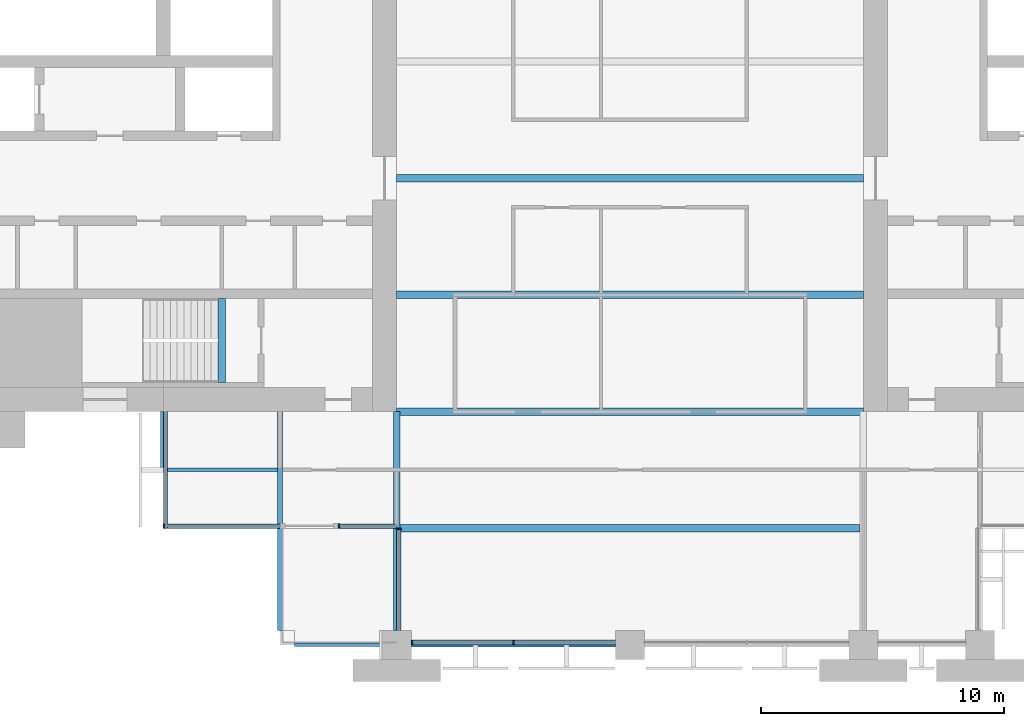
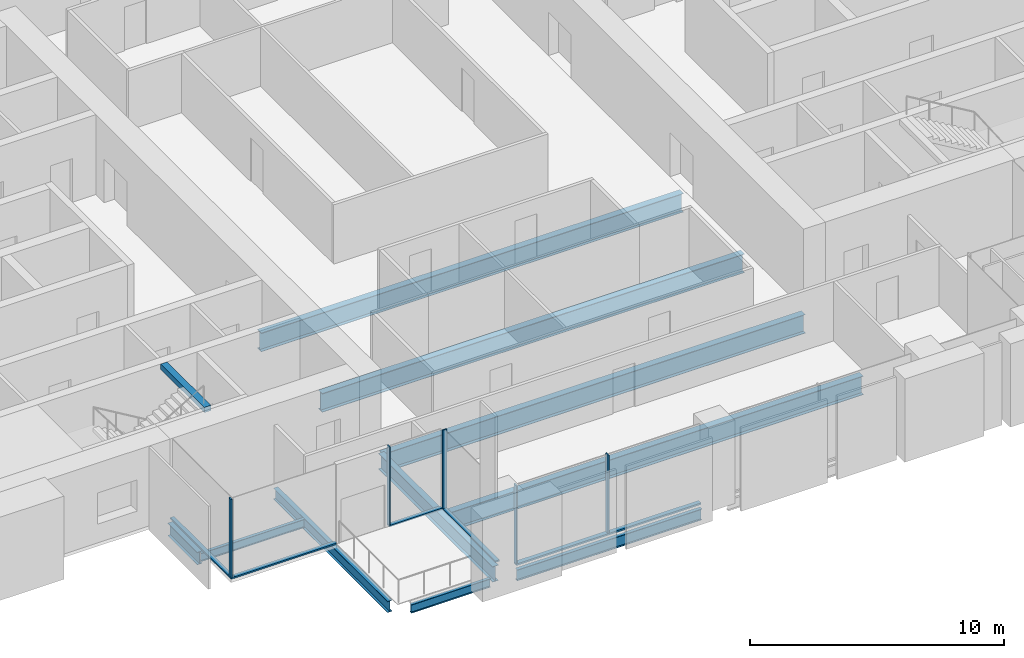
# One storey, part 2 of 14: 11 beams, 10 members, 5 elements without a shape of their own.
"""IFC4 building model written with IfcOpenShell, lengths in metres."""

import ifcopenshell
import ifcopenshell.guid

model = None  # the IFC model being written
_history = None  # IfcOwnerHistory: only IFC2X3 demands one
_inside = {}  # id of a spatial element -> (the spatial element, [elements in it])
_under = {}  # id of a project, library or spatial element -> (it, [spatial elements below it])
_declared = {}  # id of a project -> (the project, [libraries it declares])
_typed = {}  # id of a type object -> (the type object, [elements of that type])
_made_of = {}  # id of a material, layer set ... -> (it, [elements and type objects made of it])


def new_model(schema):
    """Start an empty IFC model of exactly this schema.

    Asked for "IFC4X3", IfcOpenShell would pick the latest addendum, in which some entities
    have other attributes; the version numbers below select the first issue.
    IFC2X3 requires an IfcOwnerHistory on every rooted entity: one is made here for all.
    """
    global model, _history
    if schema == "IFC4X3":
        model = ifcopenshell.file(schema_version=(4, 3, 0, 0))
    else:
        model = ifcopenshell.file(schema=schema)
    _inside.clear()
    _under.clear()
    _declared.clear()
    _typed.clear()
    _made_of.clear()
    _history = None
    if model.schema == "IFC2X3":
        org = make("IfcOrganization", Name="unknown")
        user = make(
            "IfcPersonAndOrganization",
            ThePerson=make("IfcPerson", FamilyName="unknown"),
            TheOrganization=org,
        )
        app = make(
            "IfcApplication",
            ApplicationDeveloper=org,
            Version="unknown",
            ApplicationFullName="unknown",
            ApplicationIdentifier="unknown",
        )
        _history = make(
            "IfcOwnerHistory",
            OwningUser=user,
            OwningApplication=app,
            ChangeAction="ADDED",
            CreationDate=0,
        )
    return model


def make(cls, **values):
    """One entity of the class cls with the attributes given. An attribute that is None is left unset."""
    return model.create_entity(
        cls, **{name: value for name, value in values.items() if value is not None}
    )


def rooted(cls, **values):
    """An entity with a GlobalId (a new one), such as an element, a storey or a relation."""
    return make(cls, GlobalId=ifcopenshell.guid.new(), OwnerHistory=_history, **values)


def si_unit(unit_type, name, prefix=None):
    """IfcSIUnit, for example si_unit("LENGTHUNIT", "METRE", prefix="MILLI")."""
    return make("IfcSIUnit", UnitType=unit_type, Prefix=prefix, Name=name)


def assignment(units):
    """IfcUnitAssignment: the units of a project."""
    return None if units is None else make("IfcUnitAssignment", Units=units)


def point(xyz):
    """IfcCartesianPoint."""
    return None if xyz is None else make("IfcCartesianPoint", Coordinates=xyz)


def direction(xyz):
    """IfcDirection."""
    return None if xyz is None else make("IfcDirection", DirectionRatios=xyz)


def frame(location, z_axis=None, x_axis=None):
    """IfcAxis2Placement3D, a coordinate frame: its origin and axes. An axis left out is left unset."""
    return make(
        "IfcAxis2Placement3D",
        Location=point(location),
        Axis=direction(z_axis),
        RefDirection=direction(x_axis),
    )


def frame_2d(location, x_axis=None):
    """IfcAxis2Placement2D, a coordinate frame in the plane: its origin and x axis."""
    return make(
        "IfcAxis2Placement2D", Location=point(location), RefDirection=direction(x_axis)
    )


def origin():
    """The frame at (0, 0, 0) with its axes left unset."""
    return frame((0.0, 0.0, 0.0))


def origin_2d():
    """The frame at (0, 0) in the plane with its x axis left unset."""
    return frame_2d((0.0, 0.0))


def place(relative_to, where):
    """IfcLocalPlacement: puts the frame where relative to a parent placement (None: the world)."""
    return make(
        "IfcLocalPlacement", PlacementRelTo=relative_to, RelativePlacement=where
    )


def context(
    kind, dimensions, precision=None, world=None, true_north=None, identifier=None
):
    """IfcGeometricRepresentationContext, for example the 3D "Model" context."""
    return make(
        "IfcGeometricRepresentationContext",
        ContextIdentifier=identifier,
        ContextType=kind,
        CoordinateSpaceDimension=dimensions,
        Precision=precision,
        WorldCoordinateSystem=world,
        TrueNorth=true_north,
    )


def subcontext(parent, identifier, kind, view, scale=None):
    """IfcGeometricRepresentationSubContext, for example "Body" below "Model"."""
    return make(
        "IfcGeometricRepresentationSubContext",
        ContextIdentifier=identifier,
        ContextType=kind,
        ParentContext=parent,
        TargetScale=scale,
        TargetView=view,
    )


def project(units=None, contexts=None):
    """IfcProject with its units and contexts."""
    return rooted(
        "IfcProject",
        Name="project",
        RepresentationContexts=contexts,
        UnitsInContext=assignment(units),
    )


def spatial(cls, under=None, at=None, **own):
    """A site, building, storey or space (cls), placed at a placement, below another one or the project."""
    s = rooted(cls, ObjectPlacement=at, **own)
    if under is not None:
        _under.setdefault(under.id(), (under, []))[1].append(s)
    return s


def profile(cls, at=None, kind="AREA", **sizes):
    """A parametric profile (cls). Its sizes go by their IFC names, for example OverallWidth=200.0."""
    return make(cls, ProfileType=kind, Position=at, **sizes)


def rectangle(**sizes):
    """IfcRectangleProfileDef."""
    return profile("IfcRectangleProfileDef", **sizes)


def i_section(**sizes):
    """IfcIShapeProfileDef."""
    return profile("IfcIShapeProfileDef", **sizes)


def extrude(swept, where, along, depth):
    """IfcExtrudedAreaSolid: the profile swept, set in the frame where, extruded along a direction by depth."""
    return make(
        "IfcExtrudedAreaSolid",
        SweptArea=swept,
        Position=where,
        ExtrudedDirection=direction(along),
        Depth=depth,
    )


def shape(context_of_items, identifier, shape_type, items):
    """IfcShapeRepresentation: the items that make up one representation, for example the "Body"."""
    return make(
        "IfcShapeRepresentation",
        ContextOfItems=context_of_items,
        RepresentationIdentifier=identifier,
        RepresentationType=shape_type,
        Items=items,
    )


def material(Name=None, Category=None):
    """IfcMaterial."""
    return make("IfcMaterial", Name=Name, Category=Category)


def material_profile(
    of_material, cross_section, Name=None, Category=None, Priority=None
):
    """IfcMaterialProfile: a cross section and its material."""
    return make(
        "IfcMaterialProfile",
        Name=Name,
        Material=of_material,
        Profile=cross_section,
        Priority=Priority,
        Category=Category,
    )


def profile_set(profiles, Name=None, composite=None):
    """IfcMaterialProfileSet."""
    return make(
        "IfcMaterialProfileSet",
        Name=Name,
        MaterialProfiles=profiles,
        CompositeProfile=composite,
    )


def made_of(thing, what):
    """Note that an element or type object is made of a material, layer set ...; save() writes the relation."""
    if what is not None:
        _made_of.setdefault(what.id(), (what, []))[1].append(thing)
    return thing


def type_object(cls, material=None, **own):
    """A type object (cls), such as IfcWallType, which elements share."""
    return made_of(rooted(cls, **own), material)


def element(
    cls,
    number,
    at=None,
    inside=None,
    cuts=None,
    type_object=None,
    material=None,
    context=None,
    identifier="Body",
    shape_type=None,
    held_by="IfcProductDefinitionShape",
    body=None,
    shapes=None,
    **own,
):
    """One element of the class cls, such as IfcWall. Its Tag is "e" and its number.

    at: its placement. inside: the storey or other place that contains it. cuts: it is an
    opening in that element (IfcRelVoidsElement). A single representation is given by context,
    identifier, shape_type and body (its items); several are given by shapes. held_by: the class
    of the entity that holds the representations. save() writes the other relations.
    """
    e = rooted(cls, Tag="e%d" % number, ObjectPlacement=at, **own)
    if body is not None:
        shapes = [shape(context, identifier, shape_type, body)]
    if shapes is not None:
        e.Representation = make(held_by, Representations=shapes)
    if inside is not None:
        _inside.setdefault(inside.id(), (inside, []))[1].append(e)
    if cuts is not None:
        rooted(
            "IfcRelVoidsElement", RelatingBuildingElement=cuts, RelatedOpeningElement=e
        )
    if type_object is not None:
        _typed.setdefault(type_object.id(), (type_object, []))[1].append(e)
    return made_of(e, material)


def aggregate(whole, parts):
    """IfcRelAggregates: a whole, such as a stair, and the parts it consists of."""
    return rooted("IfcRelAggregates", RelatingObject=whole, RelatedObjects=parts)


def save(model, path):
    """Write the relations noted so far, then the file.

    IfcRelAggregates (storeys below a building ...), IfcRelContainedInSpatialStructure (elements
    in a storey), IfcRelDefinesByType, IfcRelAssociatesMaterial and IfcRelDeclares: one each for
    every whole, place, type object, material and project.
    """
    for whole, parts in _under.values():
        aggregate(whole, parts)
    for where, things in _inside.values():
        rooted(
            "IfcRelContainedInSpatialStructure",
            RelatedElements=things,
            RelatingStructure=where,
        )
    for kind, things in _typed.values():
        rooted("IfcRelDefinesByType", RelatedObjects=things, RelatingType=kind)
    for what, things in _made_of.values():
        rooted("IfcRelAssociatesMaterial", RelatedObjects=things, RelatingMaterial=what)
    for by, libraries in _declared.values():
        rooted("IfcRelDeclares", RelatingContext=by, RelatedDefinitions=libraries)
    model.write(path)


model = new_model("IFC4")

# Units and contexts
model_context = context("Model", 3, precision=1e-05, world=origin(), true_north=direction((0.0, 1.0)))
body_context = subcontext(model_context, "Body", "Model", "MODEL_VIEW")
ifc_project = project(units=[si_unit("LENGTHUNIT", "METRE"), si_unit("AREAUNIT", "SQUARE_METRE"), si_unit("VOLUMEUNIT", "CUBIC_METRE"), si_unit("PLANEANGLEUNIT", "RADIAN"), si_unit("MASSUNIT", "GRAM", prefix="KILO")], contexts=[model_context])

# Site, building, storey
site_placement = place(None, origin())
site = spatial("IfcSite", under=ifc_project, at=site_placement, CompositionType="ELEMENT")
building_placement = place(site_placement, origin())
building = spatial("IfcBuilding", under=site, at=building_placement, Name="Baori Bourse Tower", CompositionType="ELEMENT")
storey_placement = place(building_placement, frame((0.0, 0.0, 148.10009765625)))
storey = spatial("IfcBuildingStorey", under=building, at=storey_placement, Name="L32", CompositionType="ELEMENT", Elevation=148.10009765625)

# Curtain wall, members
ifc_material_1 = material(Name="Pale anodised aluminium", Category="aluminium")
curtain_wall_type_1 = type_object("IfcCurtainWallType", Name="CW1 Curtain wall", PredefinedType="NOTDEFINED", material=ifc_material_1)
curtain_wall_1_placement = place(storey_placement, origin())
curtain_wall_1 = element("IfcCurtainWall", 1, at=curtain_wall_1_placement, inside=storey, type_object=curtain_wall_type_1, Name="Curtain wall CW1 L32 12", PredefinedType="NOTDEFINED")
ifc_material_2 = material(Name="Pale anodised aluminium", Category="aluminium")
ifc_material_profile_1 = material_profile(ifc_material_2, rectangle(XDim=0.199951171875, YDim=0.06005859375, at=origin_2d()), Name="Mullion 60x200")
ifc_profile_set_1 = profile_set([ifc_material_profile_1], Name="Pale anodised aluminium")
member_type_1 = type_object("IfcMemberType", Name="CW1 Curtain wall mullion", PredefinedType="MULLION", material=ifc_profile_set_1)
member_1_placement = place(storey_placement, frame((19.830078125, 0.10009765625, 0.079833984375), z_axis=(0.0, 0.0, 1.0), x_axis=(0.0, 1.0, 0.0)))
member_1 = element("IfcMember", 2, at=member_1_placement, type_object=member_type_1, Name="Curtain wall CW1 mullion", PredefinedType="MULLION", context=body_context, shape_type="SweptSolid", body=[
    extrude(rectangle(XDim=0.199951171875, YDim=0.06005859375, at=origin_2d()), origin(), (0.0, 0.0, 1.0), 3.760009765625),
])
member_2_placement = place(storey_placement, frame((24.0, 0.10009765625, 0.079833984375), z_axis=(0.0, 0.0, 1.0), x_axis=(0.0, 1.0, 0.0)))
member_2 = element("IfcMember", 3, at=member_2_placement, type_object=member_type_1, Name="Curtain wall CW1 mullion", PredefinedType="MULLION", context=body_context, shape_type="SweptSolid", body=[
    extrude(rectangle(XDim=0.199951171875, YDim=0.06005859375, at=origin_2d()), origin(), (0.0, 0.0, 1.0), 3.760009765625),
])
ifc_material_3 = material(Name="Pale anodised aluminium", Category="aluminium")
ifc_material_profile_2 = material_profile(ifc_material_3, rectangle(XDim=0.199951171875, YDim=0.080078125, at=origin_2d()), Name="Transom 80x200")
ifc_profile_set_2 = profile_set([ifc_material_profile_2], Name="Pale anodised aluminium")
member_type_2 = type_object("IfcMemberType", Name="CW1 Curtain wall transom", PredefinedType="USERDEFINED", material=ifc_profile_set_2)
member_3_placement = place(storey_placement, frame((19.800048828125, 0.10009765625, 0.039794921875), z_axis=(1.0, 0.0, 0.0), x_axis=(0.0, 1.0, 0.0)))
member_3 = element("IfcMember", 4, at=member_3_placement, type_object=member_type_2, Name="Curtain wall CW1 sill rail", ObjectType="TRANSOM", PredefinedType="USERDEFINED", context=body_context, shape_type="SweptSolid", body=[
    extrude(rectangle(XDim=0.199951171875, YDim=0.080078125, at=origin_2d()), origin(), (0.0, 0.0, 1.0), 8.39990234375),
])
aggregate(curtain_wall_1, [member_3, member_1, member_2])

# Curtain wall, member
ifc_material_4 = material(Name="Pale anodised aluminium", Category="aluminium")
curtain_wall_type_2 = type_object("IfcCurtainWallType", Name="CW2 Curtain wall", PredefinedType="NOTDEFINED", material=ifc_material_4)
curtain_wall_2_placement = place(storey_placement, origin())
curtain_wall_2 = element("IfcCurtainWall", 5, at=curtain_wall_2_placement, inside=storey, type_object=curtain_wall_type_2, Name="Curtain wall CW2 L32 9", PredefinedType="NOTDEFINED")
ifc_material_5 = material(Name="Pale anodised aluminium", Category="aluminium")
ifc_material_profile_3 = material_profile(ifc_material_5, rectangle(XDim=0.179931640625, YDim=0.054931640625, at=origin_2d()), Name="Mullion 55x180")
ifc_profile_set_3 = profile_set([ifc_material_profile_3], Name="Pale anodised aluminium")
member_type_3 = type_object("IfcMemberType", Name="CW2 Curtain wall mullion", PredefinedType="MULLION", material=ifc_profile_set_3)
member_4_placement = place(storey_placement, frame((9.62744140625, 4.889892578125, 0.06982421875), z_axis=(0.0, 0.0, 1.0), x_axis=(0.0, 1.0, 0.0)))
member_4 = element("IfcMember", 6, at=member_4_placement, type_object=member_type_3, Name="Curtain wall CW2 mullion", PredefinedType="MULLION", context=body_context, shape_type="SweptSolid", body=[
    extrude(rectangle(XDim=0.179931640625, YDim=0.054931640625, at=origin_2d()), origin(), (0.0, 0.0, 1.0), 3.77001953125),
])

curtain_wall_3_placement = place(storey_placement, origin())
curtain_wall_3 = element("IfcCurtainWall", 7, at=curtain_wall_3_placement, inside=storey, type_object=curtain_wall_type_2, Name="Curtain wall CW2 L32 10", PredefinedType="NOTDEFINED")
member_5_placement = place(storey_placement, frame((16.827392578125, 4.889892578125, 0.06982421875), z_axis=(0.0, 0.0, 1.0), x_axis=(0.0, 1.0, 0.0)))
member_5 = element("IfcMember", 8, at=member_5_placement, type_object=member_type_3, Name="Curtain wall CW2 mullion", PredefinedType="MULLION", context=body_context, shape_type="SweptSolid", body=[
    extrude(rectangle(XDim=0.179931640625, YDim=0.054931640625, at=origin_2d()), origin(), (0.0, 0.0, 1.0), 3.77001953125),
])

curtain_wall_4_placement = place(storey_placement, origin())
curtain_wall_4 = element("IfcCurtainWall", 9, at=curtain_wall_4_placement, inside=storey, type_object=curtain_wall_type_2, Name="Curtain wall CW2 L32 11", PredefinedType="NOTDEFINED")
member_6_placement = place(storey_placement, frame((19.2900390625, 4.7724609375, 0.06982421875), z_axis=(0.0, 0.0, 1.0), x_axis=(1.0, 0.0, 0.0)))
member_6 = element("IfcMember", 10, at=member_6_placement, type_object=member_type_3, Name="Curtain wall CW2 mullion", PredefinedType="MULLION", context=body_context, shape_type="SweptSolid", body=[
    extrude(rectangle(XDim=0.179931640625, YDim=0.054931640625, at=origin_2d()), origin(), (0.0, 0.0, 1.0), 3.77001953125),
])

curtain_wall_5_placement = place(storey_placement, origin())
curtain_wall_5 = element("IfcCurtainWall", 11, at=curtain_wall_5_placement, inside=storey, type_object=curtain_wall_type_2, Name="Curtain wall CW2 L32 8", PredefinedType="NOTDEFINED")
ifc_material_6 = material(Name="Pale anodised aluminium", Category="aluminium")
ifc_material_profile_4 = material_profile(ifc_material_6, rectangle(XDim=0.179931640625, YDim=0.070068359375, at=origin_2d()), Name="Transom 70x180")
ifc_profile_set_4 = profile_set([ifc_material_profile_4], Name="Pale anodised aluminium")
member_type_4 = type_object("IfcMemberType", Name="CW2 Curtain wall transom", PredefinedType="USERDEFINED", material=ifc_profile_set_4)
member_7_placement = place(storey_placement, frame((9.68994140625, 9.60009765625, 0.034912109375), z_axis=(0.0, -1.0, 0.0), x_axis=(1.0, 0.0, 0.0)))
member_7 = element("IfcMember", 12, at=member_7_placement, type_object=member_type_4, Name="Curtain wall CW2 sill rail", ObjectType="TRANSOM", PredefinedType="USERDEFINED", context=body_context, shape_type="SweptSolid", body=[
    extrude(rectangle(XDim=0.179931640625, YDim=0.070068359375, at=origin_2d()), origin(), (0.0, 0.0, 1.0), 4.800048828125),
])
aggregate(curtain_wall_5, [member_7])

# Member
member_8_placement = place(storey_placement, frame((9.60009765625, 4.889892578125, 0.034912109375), z_axis=(1.0, 0.0, 0.0), x_axis=(0.0, 1.0, 0.0)))
member_8 = element("IfcMember", 13, at=member_8_placement, type_object=member_type_4, Name="Curtain wall CW2 sill rail", ObjectType="TRANSOM", PredefinedType="USERDEFINED", context=body_context, shape_type="SweptSolid", body=[
    extrude(rectangle(XDim=0.179931640625, YDim=0.070068359375, at=origin_2d()), origin(), (0.0, 0.0, 1.0), 4.7998046875),
])

aggregate(curtain_wall_2, [member_8, member_4])

member_9_placement = place(storey_placement, frame((16.800048828125, 4.889892578125, 0.034912109375), z_axis=(1.0, 0.0, 0.0), x_axis=(0.0, 1.0, 0.0)))
member_9 = element("IfcMember", 14, at=member_9_placement, type_object=member_type_4, Name="Curtain wall CW2 sill rail", ObjectType="TRANSOM", PredefinedType="USERDEFINED", context=body_context, shape_type="SweptSolid", body=[
    extrude(rectangle(XDim=0.179931640625, YDim=0.070068359375, at=origin_2d()), origin(), (0.0, 0.0, 1.0), 2.39990234375),
])

aggregate(curtain_wall_3, [member_9, member_5])

member_10_placement = place(storey_placement, frame((19.2900390625, 4.800048828125, 0.034912109375), z_axis=(0.0, -1.0, 0.0), x_axis=(1.0, 0.0, 0.0)))
member_10 = element("IfcMember", 15, at=member_10_placement, type_object=member_type_4, Name="Curtain wall CW2 sill rail", ObjectType="TRANSOM", PredefinedType="USERDEFINED", context=body_context, shape_type="SweptSolid", body=[
    extrude(rectangle(XDim=0.179931640625, YDim=0.070068359375, at=origin_2d()), origin(), (0.0, 0.0, 1.0), 4.199951171875),
])

aggregate(curtain_wall_4, [member_10, member_6])

# Beams
ifc_material_7 = material(Name="Steel A992 Gr 50", Category="steel")
ifc_material_profile_5 = material_profile(ifc_material_7, i_section(OverallWidth=0.227783203125, OverallDepth=0.60205078125, WebThickness=0.010498046875, FlangeThickness=0.014892578125, at=origin_2d()), Name="W24x68")
ifc_profile_set_5 = profile_set([ifc_material_profile_5], Name="Steel A992 Gr 50")
beam_type_1 = type_object("IfcBeamType", Name="Core bracket W24x68", PredefinedType="BEAM", material=ifc_profile_set_5)
beam_1_placement = place(storey_placement, frame((9.60009765625, 7.270263671875, -0.461181640625), z_axis=(0.0, 1.0, 0.0), x_axis=(-1.0, 0.0, 0.0)))
element("IfcBeam", 16, at=beam_1_placement, inside=storey, type_object=beam_type_1, Name="Core bracket L32", PredefinedType="BEAM", context=body_context, shape_type="SweptSolid", body=[
    extrude(i_section(OverallWidth=0.227783203125, OverallDepth=0.60205078125, WebThickness=0.010498046875, FlangeThickness=0.014892578125, at=origin_2d()), origin(), (0.0, 0.0, 1.0), 2.329833984375),
])
ifc_material_8 = material(Name="Steel A992 Gr 50", Category="steel")
ifc_material_profile_6 = material_profile(ifc_material_8, i_section(OverallWidth=0.140380859375, OverallDepth=0.40380859375, WebThickness=0.007080078125, FlangeThickness=0.01123046875, at=origin_2d()), Name="W16x31")
ifc_profile_set_6 = profile_set([ifc_material_profile_6], Name="Steel A992 Gr 50")
beam_type_2 = type_object("IfcBeamType", Name="Edge beam W16x31", PredefinedType="BEAM", material=ifc_profile_set_6)
beam_2_placement = place(storey_placement, frame((15.0, 0.0, -0.362060546875), z_axis=(1.0, 0.0, 0.0), x_axis=(0.0, 1.0, 0.0)))
element("IfcBeam", 17, at=beam_2_placement, inside=storey, type_object=beam_type_2, Name="Edge beam L32", PredefinedType="BEAM", context=body_context, shape_type="SweptSolid", body=[
    extrude(i_section(OverallWidth=0.140380859375, OverallDepth=0.40380859375, WebThickness=0.007080078125, FlangeThickness=0.01123046875, at=origin_2d()), origin(), (0.0, 0.0, 1.0), 3.60009765625),
])
ifc_material_9 = material(Name="Steel A992 Gr 50", Category="steel")
ifc_material_profile_7 = material_profile(ifc_material_9, i_section(OverallWidth=0.1650390625, OverallDepth=0.52587890625, WebThickness=0.0087890625, FlangeThickness=0.011474609375, at=origin_2d()), Name="W21x44")
ifc_profile_set_7 = profile_set([ifc_material_profile_7], Name="Steel A992 Gr 50")
beam_type_3 = type_object("IfcBeamType", Name="Edge beam W21x44", PredefinedType="BEAM", material=ifc_profile_set_7)
beam_3_placement = place(storey_placement, frame((19.800048828125, 0.0, -0.423095703125), z_axis=(1.0, 0.0, 0.0), x_axis=(0.0, 1.0, 0.0)))
element("IfcBeam", 18, at=beam_3_placement, inside=storey, type_object=beam_type_3, Name="Edge beam L32", PredefinedType="BEAM", context=body_context, shape_type="SweptSolid", body=[
    extrude(i_section(OverallWidth=0.1650390625, OverallDepth=0.52587890625, WebThickness=0.0087890625, FlangeThickness=0.011474609375, at=origin_2d()), origin(), (0.0, 0.0, 1.0), 8.39990234375),
])
ifc_material_10 = material(Name="Steel A992 Gr 50", Category="steel")
ifc_material_profile_8 = material_profile(ifc_material_10, i_section(OverallWidth=0.209228515625, OverallDepth=0.533447265625, WebThickness=0.01025390625, FlangeThickness=0.015625, at=origin_2d()), Name="W21x62")
ifc_profile_set_8 = profile_set([ifc_material_profile_8], Name="Steel A992 Gr 50")
beam_type_4 = type_object("IfcBeamType", Name="Floor beam W21x62", PredefinedType="BEAM", material=ifc_profile_set_8)
beam_4_placement = place(storey_placement, frame((14.39990234375, 0.60009765625, -0.4267578125), z_axis=(0.0, 1.0, 0.0), x_axis=(-1.0, 0.0, 0.0)))
element("IfcBeam", 19, at=beam_4_placement, inside=storey, type_object=beam_type_4, Name="Floor beam L32", PredefinedType="BEAM", context=body_context, shape_type="SweptSolid", body=[
    extrude(i_section(OverallWidth=0.209228515625, OverallDepth=0.533447265625, WebThickness=0.01025390625, FlangeThickness=0.015625, at=origin_2d()), origin(), (0.0, 0.0, 1.0), 9.0),
])
ifc_material_11 = material(Name="Steel A992 Gr 50", Category="steel")
ifc_material_profile_9 = material_profile(ifc_material_11, i_section(OverallWidth=0.3046875, OverallDepth=0.904296875, WebThickness=0.01513671875, FlangeThickness=0.02001953125, at=origin_2d()), Name="W36x135")
ifc_profile_set_9 = profile_set([ifc_material_profile_9], Name="Steel A992 Gr 50")
beam_type_5 = type_object("IfcBeamType", Name="Floor beam W36x135", PredefinedType="BEAM", material=ifc_profile_set_9)
beam_5_placement = place(storey_placement, frame((19.33203125, 4.800048828125, -0.6123046875), z_axis=(1.0, 0.0, 0.0), x_axis=(0.0, 1.0, 0.0)))
element("IfcBeam", 20, at=beam_5_placement, inside=storey, type_object=beam_type_5, Name="Floor beam L32", PredefinedType="BEAM", context=body_context, shape_type="SweptSolid", body=[
    extrude(i_section(OverallWidth=0.3046875, OverallDepth=0.904296875, WebThickness=0.01513671875, FlangeThickness=0.02001953125, at=origin_2d()), origin(), (0.0, 0.0, 1.0), 18.935791015625),
])
for number, where, z_axis, x_axis, name in (
    (21, (19.199951171875, 9.60009765625, -0.6123046875), (1.0, 0.0, 0.0), (0.0, 1.0, 0.0), "Floor beam L32"),
    (22, (19.199951171875, 14.39990234375, -0.6123046875), (1.0, 0.0, 0.0), (0.0, 1.0, 0.0), "Floor beam L32"),
    (23, (19.199951171875, 19.199951171875, -0.6123046875), (1.0, 0.0, 0.0), (0.0, 1.0, 0.0), "Floor beam L32"),
):
    element("IfcBeam", number, at=place(storey_placement, frame(where, z_axis=z_axis, x_axis=x_axis)), inside=storey, type_object=beam_type_5, Name=name, PredefinedType="BEAM", context=body_context, shape_type="SweptSolid", body=[
        extrude(i_section(OverallWidth=0.3046875, OverallDepth=0.904296875, WebThickness=0.01513671875, FlangeThickness=0.02001953125, at=origin_2d()), origin(), (0.0, 0.0, 1.0), 19.199951171875),
    ])
ifc_material_12 = material(Name="Steel A992 Gr 50", Category="steel")
ifc_material_profile_10 = material_profile(ifc_material_12, i_section(OverallWidth=0.26416015625, OverallDepth=0.749267578125, WebThickness=0.011962890625, FlangeThickness=0.015380859375, at=origin_2d()), Name="W30x90")
ifc_profile_set_10 = profile_set([ifc_material_profile_10], Name="Steel A992 Gr 50")
beam_type_6 = type_object("IfcBeamType", Name="Girder W30x90", PredefinedType="BEAM", material=ifc_profile_set_10)
beam_6_placement = place(storey_placement, frame((19.199951171875, 0.60009765625, -0.53466796875), z_axis=(0.0, 1.0, 0.0), x_axis=(-1.0, 0.0, 0.0)))
element("IfcBeam", 24, at=beam_6_placement, inside=storey, type_object=beam_type_6, Name="Girder L32", PredefinedType="BEAM", context=body_context, shape_type="SweptSolid", body=[
    extrude(i_section(OverallWidth=0.26416015625, OverallDepth=0.749267578125, WebThickness=0.011962890625, FlangeThickness=0.015380859375, at=origin_2d()), origin(), (0.0, 0.0, 1.0), 9.0),
])
ifc_material_13 = material(Name="Concrete f'c 50 MPa", Category="concrete")
ifc_material_profile_11 = material_profile(ifc_material_13, rectangle(XDim=0.300048828125, YDim=0.25, at=origin_2d()), Name="RC 300x250")
ifc_profile_set_11 = profile_set([ifc_material_profile_11], Name="Concrete f'c 50 MPa")
beam_type_7 = type_object("IfcBeamType", Name="Stair nib beam RC 300x250", PredefinedType="BEAM", material=ifc_profile_set_11)
beam_7_placement = place(storey_placement, frame((12.0, 10.800048828125, 3.71484375), z_axis=(0.0, 1.0, 0.0), x_axis=(-1.0, 0.0, 0.0)))
element("IfcBeam", 25, at=beam_7_placement, inside=storey, type_object=beam_type_7, Name="Stair WA nib beam L33", PredefinedType="BEAM", context=body_context, shape_type="SweptSolid", body=[
    extrude(rectangle(XDim=0.300048828125, YDim=0.25, at=origin_2d()), origin(), (0.0, 0.0, 1.0), 3.449951171875),
])
ifc_material_14 = material(Name="Steel A992 Gr 50", Category="steel")
ifc_material_profile_12 = material_profile(ifc_material_14, i_section(OverallWidth=0.140380859375, OverallDepth=0.40380859375, WebThickness=0.007080078125, FlangeThickness=0.01123046875, at=origin_2d()), Name="W16x31")
ifc_profile_set_12 = profile_set([ifc_material_profile_12], Name="Steel A992 Gr 50")
beam_type_8 = type_object("IfcBeamType", Name="Trimmer beam W16x31", PredefinedType="BEAM", material=ifc_profile_set_12)
beam_8_placement = place(storey_placement, frame((9.60009765625, 7.199951171875, -0.362060546875), z_axis=(1.0, 0.0, 0.0), x_axis=(0.0, 1.0, 0.0)))
element("IfcBeam", 26, at=beam_8_placement, inside=storey, type_object=beam_type_8, Name="Trimmer beam L32", PredefinedType="BEAM", context=body_context, shape_type="SweptSolid", body=[
    extrude(i_section(OverallWidth=0.140380859375, OverallDepth=0.40380859375, WebThickness=0.007080078125, FlangeThickness=0.01123046875, at=origin_2d()), origin(), (0.0, 0.0, 1.0), 4.6953125),
])

save(model, "model.ifc")
